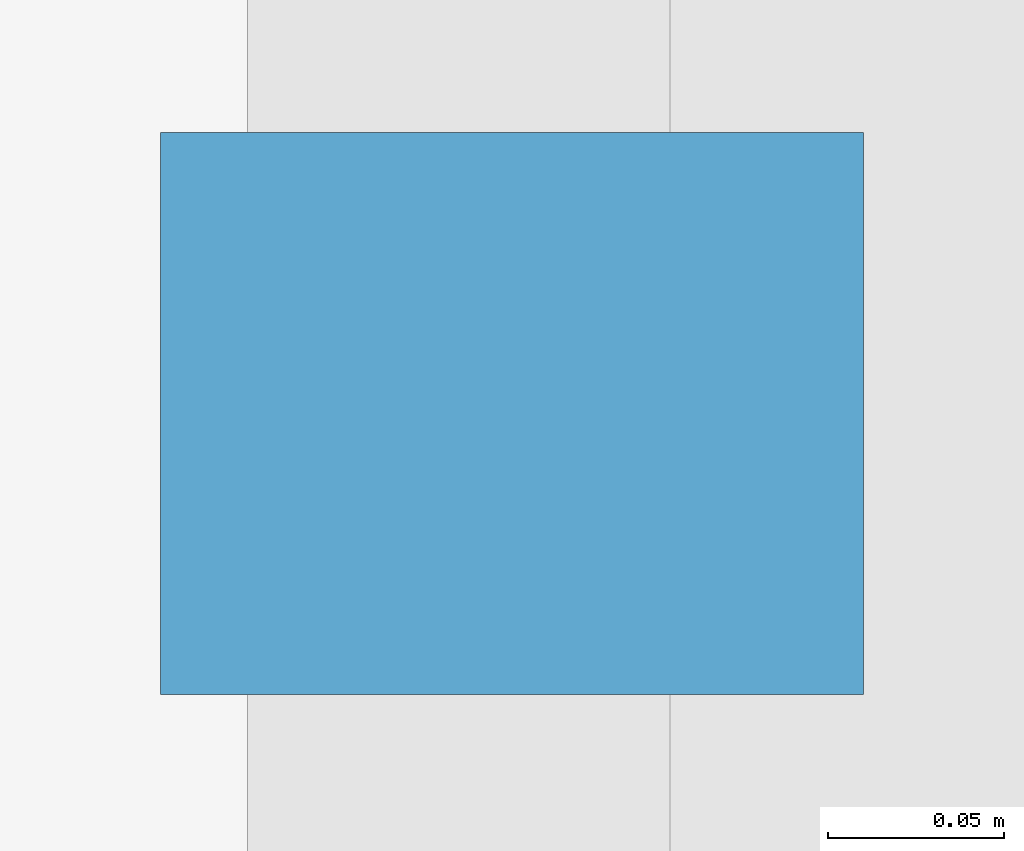
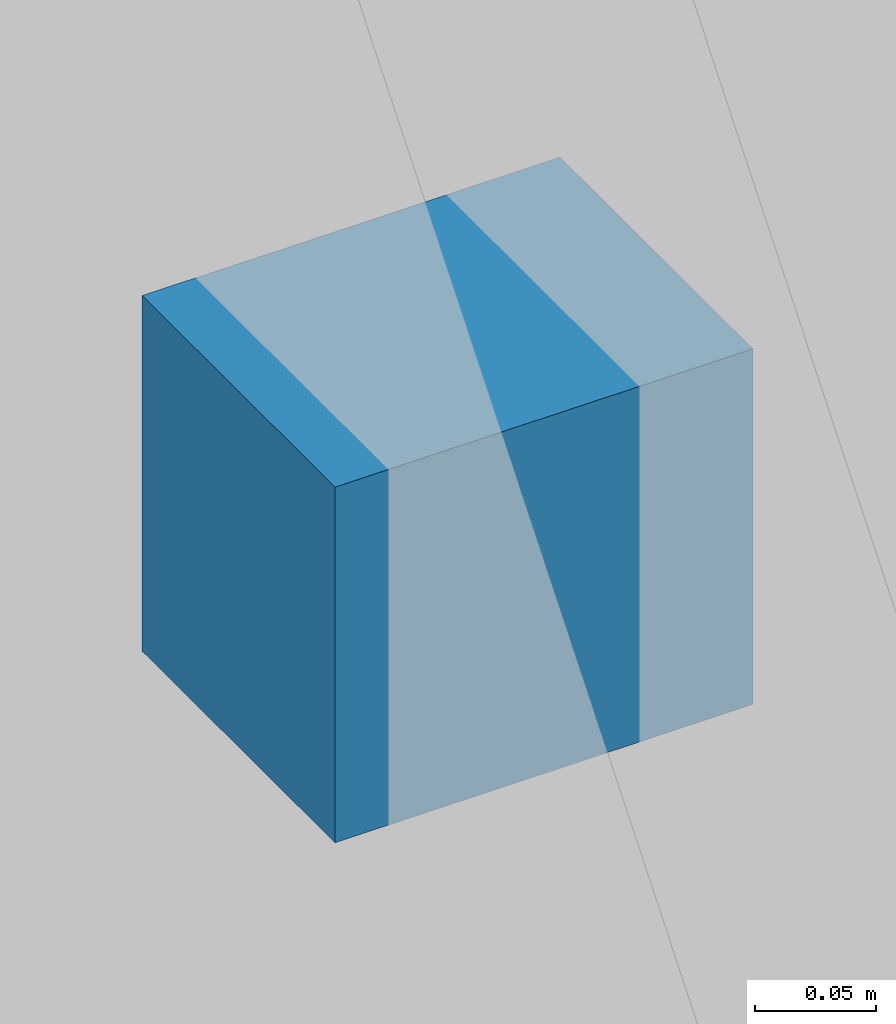
# One storey, part 11 of 15: 1 discrete accessory.
"""IFC4 building model written with IfcOpenShell, lengths in metres."""

from ifc_helpers import new_model, si_unit, direction, frame, origin, origin_2d, place, context, subcontext, project, spatial, rectangle, extrude, material, type_object, element, save


model = new_model("IFC4")

# Units and contexts
model_context = context("Model", 3, precision=1e-05, world=origin(), true_north=direction((0.0, 1.0)))
body_context = subcontext(model_context, "Body", "Model", "MODEL_VIEW")
ifc_project = project(units=[si_unit("LENGTHUNIT", "METRE"), si_unit("AREAUNIT", "SQUARE_METRE"), si_unit("VOLUMEUNIT", "CUBIC_METRE"), si_unit("PLANEANGLEUNIT", "RADIAN"), si_unit("MASSUNIT", "GRAM", prefix="KILO")], contexts=[model_context])

# Site, building, storey
site_placement = place(None, origin())
site = spatial("IfcSite", under=ifc_project, at=site_placement, CompositionType="ELEMENT")
building_placement = place(site_placement, origin())
building = spatial("IfcBuilding", under=site, at=building_placement, Name="Koriwani Terraces Tower", CompositionType="ELEMENT")
storey_placement = place(building_placement, frame((0.0, 0.0, 300.800048828125)))
storey = spatial("IfcBuildingStorey", under=building, at=storey_placement, Name="L74", CompositionType="ELEMENT", Elevation=300.800048828125)

# Discrete accessory
ifc_material = material(Name="Steel ASTM A572 Grade 50", Category="steel")
discrete_accessory_type = type_object("IfcDiscreteAccessoryType", Name="BAGUETTE_STANDOFF_BRACKET", PredefinedType="BRACKET", material=ifc_material)
discrete_accessory_placement = place(storey_placement, frame((66.81005859375, 21.0, 1.7451171875), z_axis=(0.0, 0.0, 1.0), x_axis=(0.0, -1.0, 0.0)))
element("IfcDiscreteAccessory", 1, at=discrete_accessory_placement, inside=storey, type_object=discrete_accessory_type, Name="L74 Terracotta Baguette Bracket (E_TIP-3)", PredefinedType="BRACKET", context=body_context, shape_type="SweptSolid", body=[
    extrude(rectangle(XDim=0.159912109375, YDim=0.199951171875, at=origin_2d()), origin(), (0.0, 0.0, 1.0), 0.179931640625),
])

save(model, "model.ifc")
